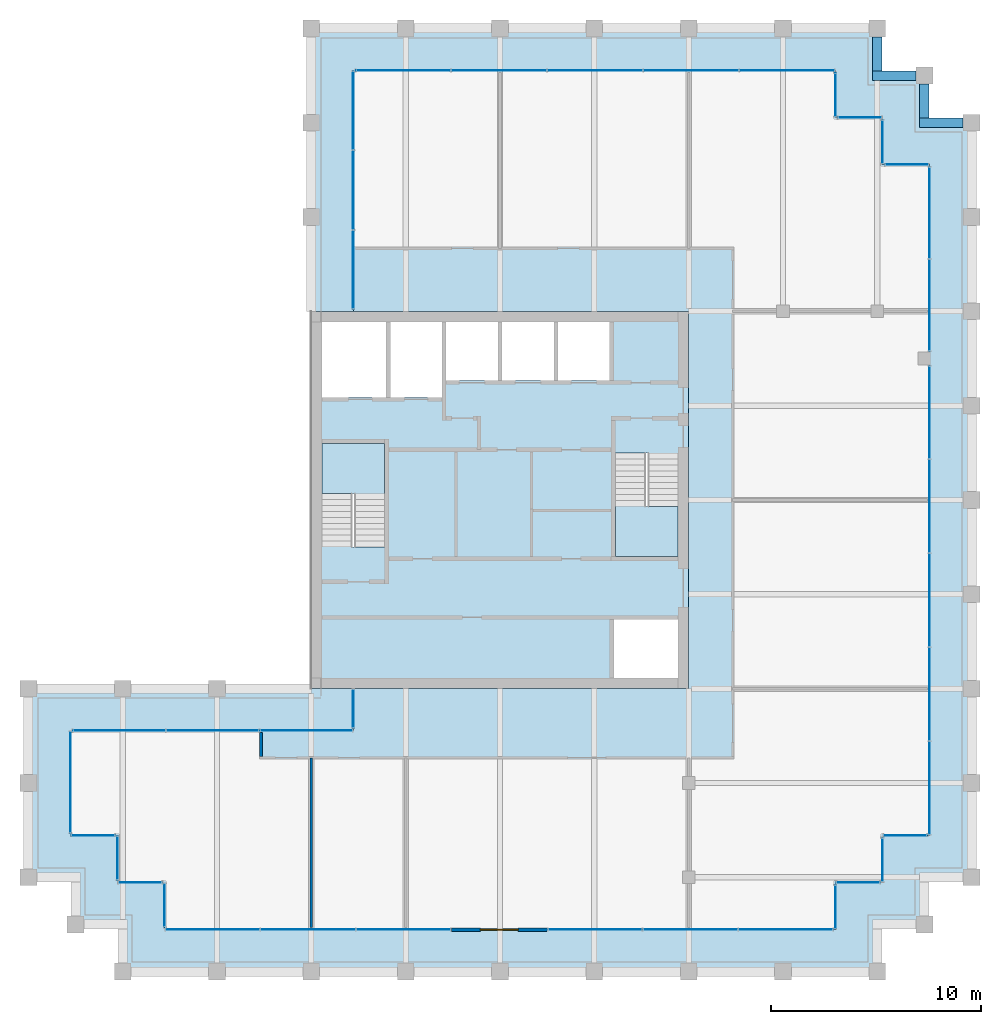
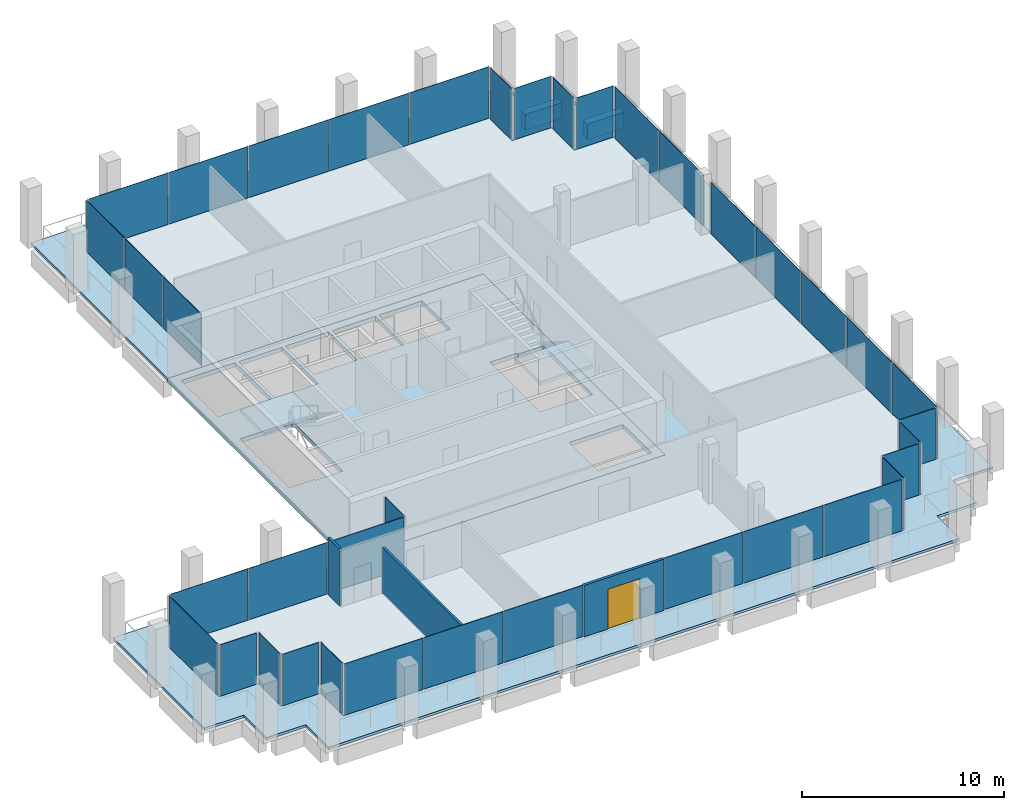
# One storey, part 27 of 30: 38 plates, 5 slabs, 4 beams, 3 walls, 1 door, 1 opening, 23 elements without a shape of their own.
"""IFC4 building model written with IfcOpenShell, lengths in metres."""

from ifc_helpers import new_model, si_unit, direction, frame, frame_2d, origin, origin_2d, place, context, subcontext, project, spatial, polyline, rectangle, outline, extrude, material, layer, layer_set, material_profile, profile_set, type_object, element, fill, aggregate, save


model = new_model("IFC4")

# Units and contexts
model_context = context("Model", 3, precision=1e-05, world=origin(), true_north=direction((0.0, 1.0)))
body_context = subcontext(model_context, "Body", "Model", "MODEL_VIEW")
ifc_project = project(units=[si_unit("LENGTHUNIT", "METRE"), si_unit("AREAUNIT", "SQUARE_METRE"), si_unit("VOLUMEUNIT", "CUBIC_METRE"), si_unit("PLANEANGLEUNIT", "RADIAN"), si_unit("MASSUNIT", "GRAM", prefix="KILO")], contexts=[model_context])

# Site, building, storey
site_placement = place(None, origin())
site = spatial("IfcSite", under=ifc_project, at=site_placement, CompositionType="ELEMENT")
building_placement = place(site_placement, origin())
building = spatial("IfcBuilding", under=site, at=building_placement, Name="Altepetl Exchange Towers", CompositionType="ELEMENT")
storey_placement = place(building_placement, frame((0.0, 0.0, 231.60009765625)))
storey = spatial("IfcBuildingStorey", under=building, at=storey_placement, Name="L59", CompositionType="ELEMENT", Elevation=231.60009765625)

# Beams
ifc_material_1 = material(Name="Concrete C50/60 precast with cantera rosa facing", Category="concrete")
ifc_material_profile = material_profile(ifc_material_1, rectangle(XDim=0.449951171875, YDim=0.949951171875, at=origin_2d()), Name="450 x 950")
ifc_profile_set = profile_set([ifc_material_profile], Name="Concrete C50/60 precast with cantera rosa facing")
beam_type = type_object("IfcBeamType", Name="Spandrel beam 450x950 cantera rosa", PredefinedType="SPANDREL", material=ifc_profile_set)
beam_1_placement = place(storey_placement, frame((71.60009765625, 67.5, -0.625), z_axis=(-1.0, 0.0, 0.0), x_axis=(0.0, -1.0, 0.0)))
element("IfcBeam", 1, at=beam_1_placement, inside=storey, type_object=beam_type, Name="sp:A:L59:020", PredefinedType="SPANDREL", context=body_context, shape_type="SweptSolid", body=[
    extrude(rectangle(XDim=0.449951171875, YDim=0.949951171875, at=origin_2d()), origin(), (0.0, 0.0, 1.0), 2.0751953125),
])
beam_2_placement = place(storey_placement, frame((69.75, 67.72509765625, -0.625), z_axis=(0.0, 1.0, 0.0), x_axis=(-1.0, 0.0, 0.0)))
element("IfcBeam", 2, at=beam_2_placement, inside=storey, type_object=beam_type, Name="sp:A:L59:021", PredefinedType="SPANDREL", context=body_context, shape_type="SweptSolid", body=[
    extrude(rectangle(XDim=0.449951171875, YDim=0.949951171875, at=origin_2d()), origin(), (0.0, 0.0, 1.0), 1.625),
])
beam_3_placement = place(storey_placement, frame((69.35009765625, 69.75, -0.625), z_axis=(-1.0, 0.0, 0.0), x_axis=(0.0, -1.0, 0.0)))
element("IfcBeam", 3, at=beam_3_placement, inside=storey, type_object=beam_type, Name="sp:A:L59:022", PredefinedType="SPANDREL", context=body_context, shape_type="SweptSolid", body=[
    extrude(rectangle(XDim=0.449951171875, YDim=0.949951171875, at=origin_2d()), origin(), (0.0, 0.0, 1.0), 2.0751953125),
])
beam_4_placement = place(storey_placement, frame((67.5, 69.97509765625, -0.625), z_axis=(0.0, 1.0, 0.0), x_axis=(-1.0, 0.0, 0.0)))
element("IfcBeam", 4, at=beam_4_placement, inside=storey, type_object=beam_type, Name="sp:A:L59:023", PredefinedType="SPANDREL", context=body_context, shape_type="SweptSolid", body=[
    extrude(rectangle(XDim=0.449951171875, YDim=0.949951171875, at=origin_2d()), origin(), (0.0, 0.0, 1.0), 1.625),
])

# Slabs
ifc_material_2 = material(Name="Concrete C40/50", Category="concrete")
ifc_layer_1 = layer(ifc_material_2, 0.14990234375)
ifc_layer_set_1 = layer_set([ifc_layer_1], Name="Concrete C40/50")
slab_type_1 = type_object("IfcSlabType", Name="Composite floor slab 150", PredefinedType="FLOOR", material=ifc_layer_set_1)
slab_1_placement = place(storey_placement, frame((0.0, 0.0, -0.150146484375)))
element("IfcSlab", 5, at=slab_1_placement, inside=storey, type_object=slab_type_1, Name="slab:A:L59:strip0", PredefinedType="FLOOR", context=body_context, shape_type="SweptSolid", body=[
    extrude(outline(polyline([(42.5, 70.0), (42.5, 58.5), (58.5, 58.5), (58.5, 40.5), (42.5, 40.5), (42.5, 38.5), (29.0, 38.5), (29.0, 33.5), (31.25, 33.5), (31.25, 31.25), (33.5, 31.25), (33.5, 29.0), (65.5, 29.0), (65.5, 31.25), (67.75, 31.25), (67.75, 33.5), (70.0, 33.5), (70.0, 65.5), (67.75, 65.5), (67.75, 67.75), (65.5, 67.75), (65.5, 70.0), (42.5, 70.0)])), origin(), (0.0, 0.0, 1.0), 0.150146484375),
])
ifc_layer_2 = layer(ifc_material_2, 0.25)
ifc_layer_set_2 = layer_set([ifc_layer_2], Name="Concrete C40/50")
slab_type_2 = type_object("IfcSlabType", Name="Core floor slab 250", PredefinedType="FLOOR", material=ifc_layer_set_2)
slab_2_placement = place(storey_placement, frame((0.0, 0.0, -0.25)))
element("IfcSlab", 6, at=slab_2_placement, inside=storey, type_object=slab_type_2, Name="slab:A:L59:core0", PredefinedType="FLOOR", context=body_context, shape_type="SweptSolid", body=[
    extrude(outline(polyline([(40.5, 40.5), (58.5, 40.5), (58.5, 58.5), (40.5, 58.5), (40.5, 40.5)]), holes=[polyline([(54.93310546875, 43.800048828125), (58.0, 43.800048828125), (58.0, 41.0), (54.93310546875, 41.0), (54.93310546875, 43.800048828125)]), polyline([(55.0, 51.7490234375), (56.550048828125, 51.7490234375), (56.550048828125, 51.64990234375), (58.0, 51.64990234375), (58.0, 46.800048828125), (55.0, 46.800048828125), (55.0, 51.7490234375)]), polyline([(44.0, 47.2509765625), (42.449951171875, 47.2509765625), (42.449951171875, 47.35009765625), (41.0, 47.35009765625), (41.0, 52.199951171875), (44.0, 52.199951171875), (44.0, 47.2509765625)]), polyline([(41.0, 58.0), (44.06689453125, 58.0), (44.06689453125, 54.39990234375), (41.0, 54.39990234375), (41.0, 58.0)]), polyline([(44.26708984375, 58.0), (46.73291015625, 58.0), (46.73291015625, 54.39990234375), (44.26708984375, 54.39990234375), (44.26708984375, 58.0)]), polyline([(46.93310546875, 58.0), (49.39990234375, 58.0), (49.39990234375, 55.199951171875), (46.93310546875, 55.199951171875), (46.93310546875, 58.0)]), polyline([(49.60009765625, 58.0), (52.06689453125, 58.0), (52.06689453125, 55.199951171875), (49.60009765625, 55.199951171875), (49.60009765625, 58.0)]), polyline([(52.26708984375, 58.0), (54.73291015625, 58.0), (54.73291015625, 55.199951171875), (52.26708984375, 55.199951171875), (52.26708984375, 58.0)])]), origin(), (0.0, 0.0, 1.0), 0.25),
])

# Curtain wall, plate
ifc_material_3 = material(Name="Aluminium 6063-T6 glazing", Category="aluminium")
curtain_wall_type = type_object("IfcCurtainWallType", Name="Loggia glazing system", PredefinedType="NOTDEFINED", material=ifc_material_3)
curtain_wall_1_placement = place(storey_placement, origin())
curtain_wall_1 = element("IfcCurtainWall", 7, at=curtain_wall_1_placement, inside=storey, type_object=curtain_wall_type, Name="CW1 run", PredefinedType="NOTDEFINED")
ifc_material_4 = material(Name="Glass 6-16-6 low emissivity", Category="glass")
ifc_layer_3 = layer(ifc_material_4, 0.028076171875)
ifc_layer_set_3 = layer_set([ifc_layer_3], Name="Glass 6-16-6 low emissivity")
plate_type = type_object("IfcPlateType", Name="Glass panel 28 double glazed", PredefinedType="CURTAIN_PANEL", material=ifc_layer_set_3)
plate_1_placement = place(storey_placement, frame((42.5, 39.53759765625, -0.000244140625), z_axis=(0.0, 0.0, 1.0), x_axis=(0.0, -1.0, 0.0)))
plate_1 = element("IfcPlate", 8, at=plate_1_placement, type_object=plate_type, Name="GP1 panel", PredefinedType="CURTAIN_PANEL", context=body_context, shape_type="SweptSolid", body=[
    extrude(rectangle(XDim=1.804931640625, YDim=0.028076171875, at=origin_2d()), origin(), (0.0, 0.0, 1.0), 3.10009765625),
])
aggregate(curtain_wall_1, [plate_1])

# Curtain wall, plates
curtain_wall_2_placement = place(storey_placement, origin())
curtain_wall_2 = element("IfcCurtainWall", 9, at=curtain_wall_2_placement, inside=storey, type_object=curtain_wall_type, Name="CW1 run", PredefinedType="NOTDEFINED")
plate_2_placement = place(storey_placement, frame((40.24755859375, 38.5, -0.000244140625), z_axis=(0.0, 0.0, 1.0), x_axis=(-1.0, 0.0, 0.0)))
plate_2 = element("IfcPlate", 10, at=plate_2_placement, type_object=plate_type, Name="GP1 panel", PredefinedType="CURTAIN_PANEL", context=body_context, shape_type="SweptSolid", body=[
    extrude(rectangle(XDim=4.385009765625, YDim=0.028076171875, at=origin_2d()), origin(), (0.0, 0.0, 1.0), 3.10009765625),
])
plate_3_placement = place(storey_placement, frame((35.78759765625, 38.5, -0.000244140625), z_axis=(0.0, 0.0, 1.0), x_axis=(-1.0, 0.0, 0.0)))
plate_3 = element("IfcPlate", 11, at=plate_3_placement, type_object=plate_type, Name="GP1 panel", PredefinedType="CURTAIN_PANEL", context=body_context, shape_type="SweptSolid", body=[
    extrude(rectangle(XDim=4.4150390625, YDim=0.028076171875, at=origin_2d()), origin(), (0.0, 0.0, 1.0), 3.10009765625),
])
plate_4_placement = place(storey_placement, frame((31.327392578125, 38.5, -0.000244140625), z_axis=(0.0, 0.0, 1.0), x_axis=(-1.0, 0.0, 0.0)))
plate_4 = element("IfcPlate", 12, at=plate_4_placement, type_object=plate_type, Name="GP1 panel", PredefinedType="CURTAIN_PANEL", context=body_context, shape_type="SweptSolid", body=[
    extrude(rectangle(XDim=4.385009765625, YDim=0.028076171875, at=origin_2d()), origin(), (0.0, 0.0, 1.0), 3.10009765625),
])
aggregate(curtain_wall_2, [plate_2, plate_3, plate_4])

# Curtain wall, plate
curtain_wall_3_placement = place(storey_placement, origin())
curtain_wall_3 = element("IfcCurtainWall", 13, at=curtain_wall_3_placement, inside=storey, type_object=curtain_wall_type, Name="CW1 run", PredefinedType="NOTDEFINED")
plate_5_placement = place(storey_placement, frame((29.0, 36.03759765625, -0.000244140625), z_axis=(0.0, 0.0, 1.0), x_axis=(0.0, -1.0, 0.0)))
plate_5 = element("IfcPlate", 14, at=plate_5_placement, type_object=plate_type, Name="GP1 panel", PredefinedType="CURTAIN_PANEL", context=body_context, shape_type="SweptSolid", body=[
    extrude(rectangle(XDim=4.804931640625, YDim=0.028076171875, at=origin_2d()), origin(), (0.0, 0.0, 1.0), 3.10009765625),
])
aggregate(curtain_wall_3, [plate_5])

curtain_wall_4_placement = place(storey_placement, origin())
curtain_wall_4 = element("IfcCurtainWall", 15, at=curtain_wall_4_placement, inside=storey, type_object=curtain_wall_type, Name="CW1 run", PredefinedType="NOTDEFINED")
plate_6_placement = place(storey_placement, frame((30.08740234375, 33.5, -0.000244140625)))
plate_6 = element("IfcPlate", 16, at=plate_6_placement, type_object=plate_type, Name="GP1 panel", PredefinedType="CURTAIN_PANEL", context=body_context, shape_type="SweptSolid", body=[
    extrude(rectangle(XDim=2.054931640625, YDim=0.028076171875, at=origin_2d()), origin(), (0.0, 0.0, 1.0), 3.10009765625),
])
aggregate(curtain_wall_4, [plate_6])

curtain_wall_5_placement = place(storey_placement, origin())
curtain_wall_5 = element("IfcCurtainWall", 17, at=curtain_wall_5_placement, inside=storey, type_object=curtain_wall_type, Name="CW1 run", PredefinedType="NOTDEFINED")
plate_7_placement = place(storey_placement, frame((31.25, 32.41259765625, -0.000244140625), z_axis=(0.0, 0.0, 1.0), x_axis=(0.0, -1.0, 0.0)))
plate_7 = element("IfcPlate", 18, at=plate_7_placement, type_object=plate_type, Name="GP1 panel", PredefinedType="CURTAIN_PANEL", context=body_context, shape_type="SweptSolid", body=[
    extrude(rectangle(XDim=2.054931640625, YDim=0.028076171875, at=origin_2d()), origin(), (0.0, 0.0, 1.0), 3.10009765625),
])
aggregate(curtain_wall_5, [plate_7])

curtain_wall_6_placement = place(storey_placement, origin())
curtain_wall_6 = element("IfcCurtainWall", 19, at=curtain_wall_6_placement, inside=storey, type_object=curtain_wall_type, Name="CW1 run", PredefinedType="NOTDEFINED")
plate_8_placement = place(storey_placement, frame((32.33740234375, 31.25, -0.000244140625)))
plate_8 = element("IfcPlate", 20, at=plate_8_placement, type_object=plate_type, Name="GP1 panel", PredefinedType="CURTAIN_PANEL", context=body_context, shape_type="SweptSolid", body=[
    extrude(rectangle(XDim=2.054931640625, YDim=0.028076171875, at=origin_2d()), origin(), (0.0, 0.0, 1.0), 3.10009765625),
])
aggregate(curtain_wall_6, [plate_8])

curtain_wall_7_placement = place(storey_placement, origin())
curtain_wall_7 = element("IfcCurtainWall", 21, at=curtain_wall_7_placement, inside=storey, type_object=curtain_wall_type, Name="CW1 run", PredefinedType="NOTDEFINED")
plate_9_placement = place(storey_placement, frame((33.5, 30.16259765625, -0.000244140625), z_axis=(0.0, 0.0, 1.0), x_axis=(0.0, -1.0, 0.0)))
plate_9 = element("IfcPlate", 22, at=plate_9_placement, type_object=plate_type, Name="GP1 panel", PredefinedType="CURTAIN_PANEL", context=body_context, shape_type="SweptSolid", body=[
    extrude(rectangle(XDim=2.054931640625, YDim=0.028076171875, at=origin_2d()), origin(), (0.0, 0.0, 1.0), 3.10009765625),
])
aggregate(curtain_wall_7, [plate_9])

# Curtain wall, plates
curtain_wall_8_placement = place(storey_placement, origin())
curtain_wall_8 = element("IfcCurtainWall", 23, at=curtain_wall_8_placement, inside=storey, type_object=curtain_wall_type, Name="CW1 run", PredefinedType="NOTDEFINED")
plate_10_placement = place(storey_placement, frame((35.79541015625, 29.0, -0.000244140625)))
plate_10 = element("IfcPlate", 24, at=plate_10_placement, type_object=plate_type, Name="GP1 panel", PredefinedType="CURTAIN_PANEL", context=body_context, shape_type="SweptSolid", body=[
    extrude(rectangle(XDim=4.470703125, YDim=0.028076171875, at=origin_2d()), origin(), (0.0, 0.0, 1.0), 3.10009765625),
])
plate_11_placement = place(storey_placement, frame((40.341064453125, 29.0, -0.000244140625)))
plate_11 = element("IfcPlate", 25, at=plate_11_placement, type_object=plate_type, Name="GP1 panel", PredefinedType="CURTAIN_PANEL", context=body_context, shape_type="SweptSolid", body=[
    extrude(rectangle(XDim=4.500732421875, YDim=0.028076171875, at=origin_2d()), origin(), (0.0, 0.0, 1.0), 3.10009765625),
])
plate_12_placement = place(storey_placement, frame((44.88671875, 29.0, -0.000244140625)))
plate_12 = element("IfcPlate", 26, at=plate_12_placement, type_object=plate_type, Name="GP1 panel", PredefinedType="CURTAIN_PANEL", context=body_context, shape_type="SweptSolid", body=[
    extrude(rectangle(XDim=4.470703125, YDim=0.028076171875, at=origin_2d()), origin(), (0.0, 0.0, 1.0), 3.10009765625),
])
aggregate(curtain_wall_8, [plate_10, plate_11, plate_12])

curtain_wall_9_placement = place(storey_placement, origin())
curtain_wall_9 = element("IfcCurtainWall", 27, at=curtain_wall_9_placement, inside=storey, type_object=curtain_wall_type, Name="CW1 run", PredefinedType="NOTDEFINED")
plate_13_placement = place(storey_placement, frame((54.038330078125, 29.0, -0.000244140625)))
plate_13 = element("IfcPlate", 28, at=plate_13_placement, type_object=plate_type, Name="GP1 panel", PredefinedType="CURTAIN_PANEL", context=body_context, shape_type="SweptSolid", body=[
    extrude(rectangle(XDim=4.470703125, YDim=0.028076171875, at=origin_2d()), origin(), (0.0, 0.0, 1.0), 3.10009765625),
])
plate_14_placement = place(storey_placement, frame((58.583984375, 29.0, -0.000244140625)))
plate_14 = element("IfcPlate", 29, at=plate_14_placement, type_object=plate_type, Name="GP1 panel", PredefinedType="CURTAIN_PANEL", context=body_context, shape_type="SweptSolid", body=[
    extrude(rectangle(XDim=4.500732421875, YDim=0.028076171875, at=origin_2d()), origin(), (0.0, 0.0, 1.0), 3.10009765625),
])
plate_15_placement = place(storey_placement, frame((63.129638671875, 29.0, -0.000244140625)))
plate_15 = element("IfcPlate", 30, at=plate_15_placement, type_object=plate_type, Name="GP1 panel", PredefinedType="CURTAIN_PANEL", context=body_context, shape_type="SweptSolid", body=[
    extrude(rectangle(XDim=4.470703125, YDim=0.028076171875, at=origin_2d()), origin(), (0.0, 0.0, 1.0), 3.10009765625),
])
aggregate(curtain_wall_9, [plate_13, plate_14, plate_15])

# Curtain wall, plate
curtain_wall_10_placement = place(storey_placement, origin())
curtain_wall_10 = element("IfcCurtainWall", 31, at=curtain_wall_10_placement, inside=storey, type_object=curtain_wall_type, Name="CW1 run", PredefinedType="NOTDEFINED")
plate_16_placement = place(storey_placement, frame((65.5, 30.08740234375, -0.000244140625), z_axis=(0.0, 0.0, 1.0), x_axis=(0.0, 1.0, 0.0)))
plate_16 = element("IfcPlate", 32, at=plate_16_placement, type_object=plate_type, Name="GP1 panel", PredefinedType="CURTAIN_PANEL", context=body_context, shape_type="SweptSolid", body=[
    extrude(rectangle(XDim=2.054931640625, YDim=0.028076171875, at=origin_2d()), origin(), (0.0, 0.0, 1.0), 3.10009765625),
])
aggregate(curtain_wall_10, [plate_16])

curtain_wall_11_placement = place(storey_placement, origin())
curtain_wall_11 = element("IfcCurtainWall", 33, at=curtain_wall_11_placement, inside=storey, type_object=curtain_wall_type, Name="CW1 run", PredefinedType="NOTDEFINED")
plate_17_placement = place(storey_placement, frame((66.58740234375, 31.25, -0.000244140625)))
plate_17 = element("IfcPlate", 34, at=plate_17_placement, type_object=plate_type, Name="GP1 panel", PredefinedType="CURTAIN_PANEL", context=body_context, shape_type="SweptSolid", body=[
    extrude(rectangle(XDim=2.054931640625, YDim=0.028076171875, at=origin_2d()), origin(), (0.0, 0.0, 1.0), 3.10009765625),
])
aggregate(curtain_wall_11, [plate_17])

curtain_wall_12_placement = place(storey_placement, origin())
curtain_wall_12 = element("IfcCurtainWall", 35, at=curtain_wall_12_placement, inside=storey, type_object=curtain_wall_type, Name="CW1 run", PredefinedType="NOTDEFINED")
plate_18_placement = place(storey_placement, frame((67.75, 32.33740234375, -0.000244140625), z_axis=(0.0, 0.0, 1.0), x_axis=(0.0, 1.0, 0.0)))
plate_18 = element("IfcPlate", 36, at=plate_18_placement, type_object=plate_type, Name="GP1 panel", PredefinedType="CURTAIN_PANEL", context=body_context, shape_type="SweptSolid", body=[
    extrude(rectangle(XDim=2.054931640625, YDim=0.028076171875, at=origin_2d()), origin(), (0.0, 0.0, 1.0), 3.10009765625),
])
aggregate(curtain_wall_12, [plate_18])

curtain_wall_13_placement = place(storey_placement, origin())
curtain_wall_13 = element("IfcCurtainWall", 37, at=curtain_wall_13_placement, inside=storey, type_object=curtain_wall_type, Name="CW1 run", PredefinedType="NOTDEFINED")
plate_19_placement = place(storey_placement, frame((68.83740234375, 33.5, -0.000244140625)))
plate_19 = element("IfcPlate", 38, at=plate_19_placement, type_object=plate_type, Name="GP1 panel", PredefinedType="CURTAIN_PANEL", context=body_context, shape_type="SweptSolid", body=[
    extrude(rectangle(XDim=2.054931640625, YDim=0.028076171875, at=origin_2d()), origin(), (0.0, 0.0, 1.0), 3.10009765625),
])
aggregate(curtain_wall_13, [plate_19])

# Curtain wall, plates
curtain_wall_14_placement = place(storey_placement, origin())
curtain_wall_14 = element("IfcCurtainWall", 39, at=curtain_wall_14_placement, inside=storey, type_object=curtain_wall_type, Name="CW1 run", PredefinedType="NOTDEFINED")
plate_20_placement = place(storey_placement, frame((70.0, 35.758056640625, -0.000244140625), z_axis=(0.0, 0.0, 1.0), x_axis=(0.0, 1.0, 0.0)))
plate_20 = element("IfcPlate", 40, at=plate_20_placement, type_object=plate_type, Name="GP1 panel", PredefinedType="CURTAIN_PANEL", context=body_context, shape_type="SweptSolid", body=[
    extrude(rectangle(XDim=4.39599609375, YDim=0.028076171875, at=origin_2d()), origin(), (0.0, 0.0, 1.0), 3.10009765625),
])
plate_21_placement = place(storey_placement, frame((70.0, 40.22900390625, -0.000244140625), z_axis=(0.0, 0.0, 1.0), x_axis=(0.0, 1.0, 0.0)))
plate_21 = element("IfcPlate", 41, at=plate_21_placement, type_object=plate_type, Name="GP1 panel", PredefinedType="CURTAIN_PANEL", context=body_context, shape_type="SweptSolid", body=[
    extrude(rectangle(XDim=4.426025390625, YDim=0.028076171875, at=origin_2d()), origin(), (0.0, 0.0, 1.0), 3.10009765625),
])
plate_22_placement = place(storey_placement, frame((70.0, 44.715087890625, -0.000244140625), z_axis=(0.0, 0.0, 1.0), x_axis=(0.0, 1.0, 0.0)))
plate_22 = element("IfcPlate", 42, at=plate_22_placement, type_object=plate_type, Name="GP1 panel", PredefinedType="CURTAIN_PANEL", context=body_context, shape_type="SweptSolid", body=[
    extrude(rectangle(XDim=4.426025390625, YDim=0.028076171875, at=origin_2d()), origin(), (0.0, 0.0, 1.0), 3.10009765625),
])
plate_23_placement = place(storey_placement, frame((70.0, 49.200927734375, -0.000244140625), z_axis=(0.0, 0.0, 1.0), x_axis=(0.0, 1.0, 0.0)))
plate_23 = element("IfcPlate", 43, at=plate_23_placement, type_object=plate_type, Name="GP1 panel", PredefinedType="CURTAIN_PANEL", context=body_context, shape_type="SweptSolid", body=[
    extrude(rectangle(XDim=4.426025390625, YDim=0.028076171875, at=origin_2d()), origin(), (0.0, 0.0, 1.0), 3.10009765625),
])
plate_24_placement = place(storey_placement, frame((70.0, 53.672119140625, -0.000244140625), z_axis=(0.0, 0.0, 1.0), x_axis=(0.0, 1.0, 0.0)))
plate_24 = element("IfcPlate", 44, at=plate_24_placement, type_object=plate_type, Name="GP1 panel", PredefinedType="CURTAIN_PANEL", context=body_context, shape_type="SweptSolid", body=[
    extrude(rectangle(XDim=4.39599609375, YDim=0.028076171875, at=origin_2d()), origin(), (0.0, 0.0, 1.0), 3.10009765625),
])
aggregate(curtain_wall_14, [plate_20, plate_21, plate_22, plate_23, plate_24])

curtain_wall_15_placement = place(storey_placement, origin())
curtain_wall_15 = element("IfcCurtainWall", 45, at=curtain_wall_15_placement, inside=storey, type_object=curtain_wall_type, Name="CW1 run", PredefinedType="NOTDEFINED")
plate_25_placement = place(storey_placement, frame((70.0, 58.798828125, -0.000244140625), z_axis=(0.0, 0.0, 1.0), x_axis=(0.0, 1.0, 0.0)))
plate_25 = element("IfcPlate", 46, at=plate_25_placement, type_object=plate_type, Name="GP1 panel", PredefinedType="CURTAIN_PANEL", context=body_context, shape_type="SweptSolid", body=[
    extrude(rectangle(XDim=4.33740234375, YDim=0.028076171875, at=origin_2d()), origin(), (0.0, 0.0, 1.0), 3.10009765625),
])
plate_26_placement = place(storey_placement, frame((70.0, 63.1962890625, -0.000244140625), z_axis=(0.0, 0.0, 1.0), x_axis=(0.0, 1.0, 0.0)))
plate_26 = element("IfcPlate", 47, at=plate_26_placement, type_object=plate_type, Name="GP1 panel", PredefinedType="CURTAIN_PANEL", context=body_context, shape_type="SweptSolid", body=[
    extrude(rectangle(XDim=4.33740234375, YDim=0.028076171875, at=origin_2d()), origin(), (0.0, 0.0, 1.0), 3.10009765625),
])
aggregate(curtain_wall_15, [plate_25, plate_26])

# Curtain wall, plate
curtain_wall_16_placement = place(storey_placement, origin())
curtain_wall_16 = element("IfcCurtainWall", 48, at=curtain_wall_16_placement, inside=storey, type_object=curtain_wall_type, Name="CW1 run", PredefinedType="NOTDEFINED")
plate_27_placement = place(storey_placement, frame((68.91259765625, 65.5, -0.000244140625), z_axis=(0.0, 0.0, 1.0), x_axis=(-1.0, 0.0, 0.0)))
plate_27 = element("IfcPlate", 49, at=plate_27_placement, type_object=plate_type, Name="GP1 panel", PredefinedType="CURTAIN_PANEL", context=body_context, shape_type="SweptSolid", body=[
    extrude(rectangle(XDim=2.054931640625, YDim=0.028076171875, at=origin_2d()), origin(), (0.0, 0.0, 1.0), 3.10009765625),
])
aggregate(curtain_wall_16, [plate_27])

curtain_wall_17_placement = place(storey_placement, origin())
curtain_wall_17 = element("IfcCurtainWall", 50, at=curtain_wall_17_placement, inside=storey, type_object=curtain_wall_type, Name="CW1 run", PredefinedType="NOTDEFINED")
plate_28_placement = place(storey_placement, frame((67.75, 66.58740234375, -0.000244140625), z_axis=(0.0, 0.0, 1.0), x_axis=(0.0, 1.0, 0.0)))
plate_28 = element("IfcPlate", 51, at=plate_28_placement, type_object=plate_type, Name="GP1 panel", PredefinedType="CURTAIN_PANEL", context=body_context, shape_type="SweptSolid", body=[
    extrude(rectangle(XDim=2.054931640625, YDim=0.028076171875, at=origin_2d()), origin(), (0.0, 0.0, 1.0), 3.10009765625),
])
aggregate(curtain_wall_17, [plate_28])

curtain_wall_18_placement = place(storey_placement, origin())
curtain_wall_18 = element("IfcCurtainWall", 52, at=curtain_wall_18_placement, inside=storey, type_object=curtain_wall_type, Name="CW1 run", PredefinedType="NOTDEFINED")
plate_29_placement = place(storey_placement, frame((66.66259765625, 67.75, -0.000244140625), z_axis=(0.0, 0.0, 1.0), x_axis=(-1.0, 0.0, 0.0)))
plate_29 = element("IfcPlate", 53, at=plate_29_placement, type_object=plate_type, Name="GP1 panel", PredefinedType="CURTAIN_PANEL", context=body_context, shape_type="SweptSolid", body=[
    extrude(rectangle(XDim=2.054931640625, YDim=0.028076171875, at=origin_2d()), origin(), (0.0, 0.0, 1.0), 3.10009765625),
])
aggregate(curtain_wall_18, [plate_29])

curtain_wall_19_placement = place(storey_placement, origin())
curtain_wall_19 = element("IfcCurtainWall", 54, at=curtain_wall_19_placement, inside=storey, type_object=curtain_wall_type, Name="CW1 run", PredefinedType="NOTDEFINED")
plate_30_placement = place(storey_placement, frame((65.5, 68.83740234375, -0.000244140625), z_axis=(0.0, 0.0, 1.0), x_axis=(0.0, 1.0, 0.0)))
plate_30 = element("IfcPlate", 55, at=plate_30_placement, type_object=plate_type, Name="GP1 panel", PredefinedType="CURTAIN_PANEL", context=body_context, shape_type="SweptSolid", body=[
    extrude(rectangle(XDim=2.054931640625, YDim=0.028076171875, at=origin_2d()), origin(), (0.0, 0.0, 1.0), 3.10009765625),
])
aggregate(curtain_wall_19, [plate_30])

# Curtain wall, plates
curtain_wall_20_placement = place(storey_placement, origin())
curtain_wall_20 = element("IfcCurtainWall", 56, at=curtain_wall_20_placement, inside=storey, type_object=curtain_wall_type, Name="CW1 run", PredefinedType="NOTDEFINED")
plate_31_placement = place(storey_placement, frame((63.1923828125, 70.0, -0.000244140625), z_axis=(0.0, 0.0, 1.0), x_axis=(-1.0, 0.0, 0.0)))
plate_31 = element("IfcPlate", 57, at=plate_31_placement, type_object=plate_type, Name="GP1 panel", PredefinedType="CURTAIN_PANEL", context=body_context, shape_type="SweptSolid", body=[
    extrude(rectangle(XDim=4.4951171875, YDim=0.028076171875, at=origin_2d()), origin(), (0.0, 0.0, 1.0), 3.10009765625),
])
plate_32_placement = place(storey_placement, frame((58.62255859375, 70.0, -0.000244140625), z_axis=(0.0, 0.0, 1.0), x_axis=(-1.0, 0.0, 0.0)))
plate_32 = element("IfcPlate", 58, at=plate_32_placement, type_object=plate_type, Name="GP1 panel", PredefinedType="CURTAIN_PANEL", context=body_context, shape_type="SweptSolid", body=[
    extrude(rectangle(XDim=4.52490234375, YDim=0.028076171875, at=origin_2d()), origin(), (0.0, 0.0, 1.0), 3.10009765625),
])
plate_33_placement = place(storey_placement, frame((54.03759765625, 70.0, -0.000244140625), z_axis=(0.0, 0.0, 1.0), x_axis=(-1.0, 0.0, 0.0)))
plate_33 = element("IfcPlate", 59, at=plate_33_placement, type_object=plate_type, Name="GP1 panel", PredefinedType="CURTAIN_PANEL", context=body_context, shape_type="SweptSolid", body=[
    extrude(rectangle(XDim=4.52490234375, YDim=0.028076171875, at=origin_2d()), origin(), (0.0, 0.0, 1.0), 3.10009765625),
])
plate_34_placement = place(storey_placement, frame((49.452392578125, 70.0, -0.000244140625), z_axis=(0.0, 0.0, 1.0), x_axis=(-1.0, 0.0, 0.0)))
plate_34 = element("IfcPlate", 60, at=plate_34_placement, type_object=plate_type, Name="GP1 panel", PredefinedType="CURTAIN_PANEL", context=body_context, shape_type="SweptSolid", body=[
    extrude(rectangle(XDim=4.52490234375, YDim=0.028076171875, at=origin_2d()), origin(), (0.0, 0.0, 1.0), 3.10009765625),
])
plate_35_placement = place(storey_placement, frame((44.882568359375, 70.0, -0.000244140625), z_axis=(0.0, 0.0, 1.0), x_axis=(-1.0, 0.0, 0.0)))
plate_35 = element("IfcPlate", 61, at=plate_35_placement, type_object=plate_type, Name="GP1 panel", PredefinedType="CURTAIN_PANEL", context=body_context, shape_type="SweptSolid", body=[
    extrude(rectangle(XDim=4.4951171875, YDim=0.028076171875, at=origin_2d()), origin(), (0.0, 0.0, 1.0), 3.10009765625),
])
aggregate(curtain_wall_20, [plate_31, plate_32, plate_33, plate_34, plate_35])

curtain_wall_21_placement = place(storey_placement, origin())
curtain_wall_21 = element("IfcCurtainWall", 62, at=curtain_wall_21_placement, inside=storey, type_object=curtain_wall_type, Name="CW1 run", PredefinedType="NOTDEFINED")
plate_36_placement = place(storey_placement, frame((42.5, 68.080810546875, -0.000244140625), z_axis=(0.0, 0.0, 1.0), x_axis=(0.0, -1.0, 0.0)))
plate_36 = element("IfcPlate", 63, at=plate_36_placement, type_object=plate_type, Name="GP1 panel", PredefinedType="CURTAIN_PANEL", context=body_context, shape_type="SweptSolid", body=[
    extrude(rectangle(XDim=3.71826171875, YDim=0.028076171875, at=origin_2d()), origin(), (0.0, 0.0, 1.0), 3.10009765625),
])
plate_37_placement = place(storey_placement, frame((42.5, 64.28759765625, -0.000244140625), z_axis=(0.0, 0.0, 1.0), x_axis=(0.0, -1.0, 0.0)))
plate_37 = element("IfcPlate", 64, at=plate_37_placement, type_object=plate_type, Name="GP1 panel", PredefinedType="CURTAIN_PANEL", context=body_context, shape_type="SweptSolid", body=[
    extrude(rectangle(XDim=3.748291015625, YDim=0.028076171875, at=origin_2d()), origin(), (0.0, 0.0, 1.0), 3.10009765625),
])
plate_38_placement = place(storey_placement, frame((42.5, 60.494140625, -0.000244140625), z_axis=(0.0, 0.0, 1.0), x_axis=(0.0, -1.0, 0.0)))
plate_38 = element("IfcPlate", 65, at=plate_38_placement, type_object=plate_type, Name="GP1 panel", PredefinedType="CURTAIN_PANEL", context=body_context, shape_type="SweptSolid", body=[
    extrude(rectangle(XDim=3.71826171875, YDim=0.028076171875, at=origin_2d()), origin(), (0.0, 0.0, 1.0), 3.10009765625),
])
aggregate(curtain_wall_21, [plate_36, plate_37, plate_38])

# Slab
ifc_layer_4 = layer(ifc_material_2, 0.14990234375)
ifc_layer_set_4 = layer_set([ifc_layer_4], Name="Concrete C40/50")
slab_type_3 = type_object("IfcSlabType", Name="Loggia slab 150", PredefinedType="FLOOR", material=ifc_layer_set_4)
slab_3_placement = place(storey_placement, frame((0.0, 0.0, -0.150146484375)))
element("IfcSlab", 66, at=slab_3_placement, inside=storey, type_object=slab_type_3, Name="slab:A:L59:loggia0", PredefinedType="FLOOR", context=body_context, shape_type="SweptSolid", body=[
    extrude(outline(polyline([(40.5, 72.0), (40.5, 58.5), (42.5, 58.5), (42.5, 70.0), (65.5, 70.0), (65.5, 67.75), (67.75, 67.75), (67.75, 65.5), (70.0, 65.5), (70.0, 33.5), (67.75, 33.5), (67.75, 31.25), (65.5, 31.25), (65.5, 29.0), (33.5, 29.0), (33.5, 31.25), (31.25, 31.25), (31.25, 33.5), (29.0, 33.5), (29.0, 38.5), (42.5, 38.5), (42.5, 40.5), (40.5, 40.5), (27.0, 40.5), (27.0, 31.5), (29.25, 31.5), (29.25, 29.25), (31.5, 29.25), (31.5, 27.0), (58.5, 27.0), (67.5, 27.0), (67.5, 29.25), (69.75, 29.25), (69.75, 31.5), (72.0, 31.5), (72.0, 58.5), (72.0, 67.5), (69.75, 67.5), (69.75, 69.75), (67.5, 69.75), (67.5, 72.0), (40.5, 72.0)])), origin(), (0.0, 0.0, 1.0), 0.150146484375),
])

# Stair, slab
stair_type = type_object("IfcStairType", Name="Exit stair 1450 flights dogleg", PredefinedType="HALF_TURN_STAIR", material=ifc_material_2)
stair_1_placement = place(storey_placement, origin())
stair_1 = element("IfcStair", 67, at=stair_1_placement, inside=storey, type_object=stair_type, Name="Exit stair 1", PredefinedType="HALF_TURN_STAIR")
ifc_layer_5 = layer(ifc_material_2, 0.199951171875)
ifc_layer_set_5 = layer_set([ifc_layer_5], Name="Concrete C40/50")
slab_type_4 = type_object("IfcSlabType", Name="Stair landing 200 reinforced concrete", PredefinedType="LANDING", material=ifc_layer_set_5)
slab_4_placement = place(storey_placement, frame((0.0, 0.0, 1.599853515625)))
slab_4 = element("IfcSlab", 68, at=slab_4_placement, type_object=slab_type_4, Name="ST-A1f landing 1", PredefinedType="LANDING", context=body_context, shape_type="SweptSolid", body=[
    extrude(outline(polyline([(44.0, 49.715087890625), (42.550048828125, 49.715087890625), (42.550048828125, 49.81494140625), (42.449951171875, 49.81494140625), (42.449951171875, 49.814208984375), (41.0, 49.814208984375), (41.0, 49.81494140625), (41.0, 52.199951171875), (44.0, 52.199951171875), (44.0, 49.81494140625), (44.0, 49.715087890625)])), origin(), (0.0, 0.0, 1.0), 0.199951171875),
])
aggregate(stair_1, [slab_4])

stair_2_placement = place(storey_placement, origin())
stair_2 = element("IfcStair", 69, at=stair_2_placement, inside=storey, type_object=stair_type, Name="Exit stair 2", PredefinedType="HALF_TURN_STAIR")
slab_5_placement = place(storey_placement, frame((0.0, 0.0, 1.599853515625)))
slab_5 = element("IfcSlab", 70, at=slab_5_placement, type_object=slab_type_4, Name="ST-A2f landing 1", PredefinedType="LANDING", context=body_context, shape_type="SweptSolid", body=[
    extrude(outline(polyline([(58.0, 46.800048828125), (55.0, 46.800048828125), (55.0, 49.18505859375), (55.0, 49.284912109375), (56.449951171875, 49.284912109375), (56.449951171875, 49.18505859375), (56.550048828125, 49.18505859375), (56.550048828125, 49.185791015625), (58.0, 49.185791015625), (58.0, 49.18505859375), (58.0, 46.800048828125)])), origin(), (0.0, 0.0, 1.0), 0.199951171875),
])
aggregate(stair_2, [slab_5])

# Wall, opening, door
ifc_material_5 = material(Name="Aluminium composite cladding", Category="aluminium")
ifc_layer_6 = layer(ifc_material_5, 0.14990234375)
ifc_layer_set_6 = layer_set([ifc_layer_6], Name="Aluminium composite cladding")
wall_type_1 = type_object("IfcWallType", Name="Infill wall 150 aluminium panel", PredefinedType="SOLIDWALL", material=ifc_layer_set_6)
wall_1_placement = place(storey_placement, frame((47.18212890625, 29.0, 0.0)))
wall_1 = element("IfcWall", 71, at=wall_1_placement, inside=storey, type_object=wall_type_1, Name="Loggia door bay wall", PredefinedType="SOLIDWALL", context=body_context, shape_type="SweptSolid", body=[
    extrude(rectangle(XDim=4.560791015625, YDim=0.14990234375, at=frame_2d((2.2802734375, 0.0))), origin(), (0.0, 0.0, 1.0), 3.099853515625),
])
opening_placement = place(wall_1_placement, frame((1.38037109375, 0.0, 0.0)))
opening = element("IfcOpeningElement", 72, at=opening_placement, cuts=wall_1, Name="Opening L59.A90", PredefinedType="OPENING", context=body_context, shape_type="SweptSolid", body=[
    extrude(rectangle(XDim=1.800048828125, YDim=2.39990234375, at=frame_2d((0.89990234375, 1.199951171875))), frame((0.0, 0.0849609375, 0.0), z_axis=(0.0, -1.0, 0.0), x_axis=(1.0, 0.0, 0.0)), (0.0, 0.0, 1.0), 0.169921875),
])
ifc_material_6 = material(Name="Aluminium 6063-T6 and glass", Category="aluminium")
door_type = type_object("IfcDoorType", Name="Glazed door pair 1800x2400", OperationType="DOUBLE_DOOR_DOUBLE_SWING", PredefinedType="NOTDEFINED", material=ifc_material_6)
door_placement = place(opening_placement, frame((1.800048828125, 0.0, 0.0), x_axis=(-1.0, 0.0, 0.0)))
door = element("IfcDoor", 73, at=door_placement, inside=storey, type_object=door_type, Name="Loggia door", OperationType="DOUBLE_DOOR_DOUBLE_SWING", OverallHeight=2.39990234375, OverallWidth=1.800048828125, PredefinedType="NOTDEFINED", context=body_context, shape_type="SweptSolid", body=[
    extrude(rectangle(XDim=1.800048828125, YDim=2.39990234375, at=frame_2d((0.89990234375, 1.199951171875))), frame((0.0, 0.02490234375, 0.0), z_axis=(0.0, -1.0, 0.0), x_axis=(1.0, 0.0, 0.0)), (0.0, 0.0, 1.0), 0.050048828125),
])
fill(opening, door)

# Walls
ifc_material_7 = material(Name="Gypsum board on steel studs", Category="steel")
ifc_layer_7 = layer(ifc_material_7, 0.125)
ifc_layer_set_7 = layer_set([ifc_layer_7], Name="Gypsum board on steel studs")
wall_type_2 = type_object("IfcWallType", Name="Partition 125 gypsum board on steel studs", PredefinedType="PARTITIONING", material=ifc_layer_set_7)
wall_2_placement = place(storey_placement, frame((38.10009765625, 37.262451171875, 0.0), z_axis=(0.0, 0.0, 1.0), x_axis=(0.0, 1.0, 0.0)))
element("IfcWall", 74, at=wall_2_placement, inside=storey, type_object=wall_type_2, Name="wall:A:L59:P08", PredefinedType="PARTITIONING", context=body_context, shape_type="SweptSolid", body=[
    extrude(rectangle(XDim=1.137451171875, YDim=0.125, at=frame_2d((0.56884765625, 0.0))), origin(), (0.0, 0.0, 1.0), 3.449951171875),
])
wall_3_placement = place(storey_placement, frame((40.5, 29.10009765625, 0.0), z_axis=(0.0, 0.0, 1.0), x_axis=(0.0, 1.0, 0.0)))
element("IfcWall", 75, at=wall_3_placement, inside=storey, type_object=wall_type_2, Name="wall:A:L59:P09", PredefinedType="PARTITIONING", context=body_context, shape_type="SweptSolid", body=[
    extrude(rectangle(XDim=8.099853515625, YDim=0.125, at=frame_2d((4.0498046875, 0.0))), origin(), (0.0, 0.0, 1.0), 2.77197265625),
])

save(model, "model.ifc")
